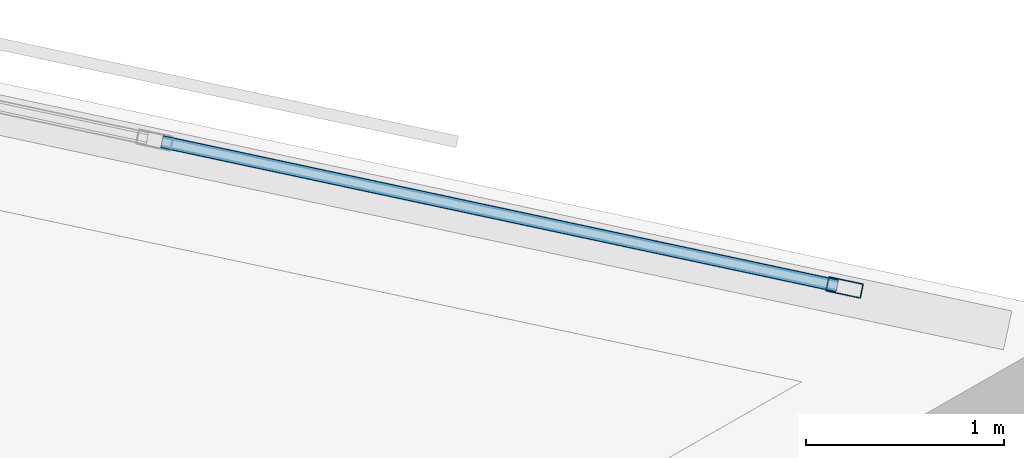
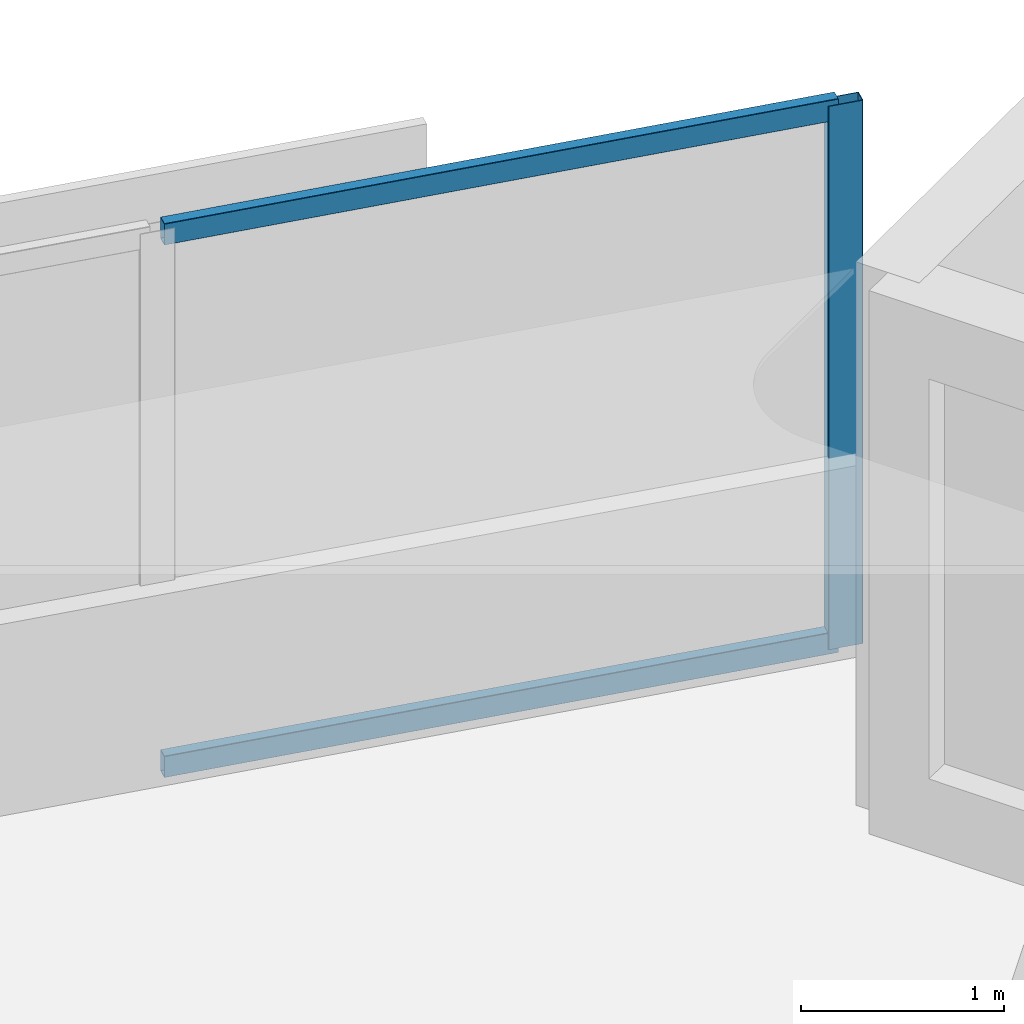
# One storey, part 6 of 13: 3 members, 1 element without a shape of its own.
"""IFC4 building model written with IfcOpenShell, lengths in metres."""

from ifc_helpers import new_model, si_unit, direction, frame, origin, origin_2d, place, context, subcontext, project, spatial, hollow_rectangle, extrude, material, material_profile, profile_set, type_object, element, aggregate, save


model = new_model("IFC4")

# Units and contexts
model_context = context("Model", 3, precision=1e-05, world=origin(), true_north=direction((0.0, 1.0)))
body_context = subcontext(model_context, "Body", "Model", "MODEL_VIEW")
ifc_project = project(units=[si_unit("LENGTHUNIT", "METRE"), si_unit("AREAUNIT", "SQUARE_METRE"), si_unit("VOLUMEUNIT", "CUBIC_METRE"), si_unit("PLANEANGLEUNIT", "RADIAN"), si_unit("MASSUNIT", "GRAM", prefix="KILO")], contexts=[model_context])

# Site, building, storey
site_placement = place(None, origin())
site = spatial("IfcSite", under=ifc_project, at=site_placement, CompositionType="ELEMENT")
building_placement = place(site_placement, origin())
building = spatial("IfcBuilding", under=site, at=building_placement, Name="Narakoshi Arena Tower", CompositionType="ELEMENT")
storey_placement = place(building_placement, frame((0.0, 0.0, 225.5400390625)))
storey = spatial("IfcBuildingStorey", under=building, at=storey_placement, Name="L61", CompositionType="ELEMENT", Elevation=225.5400390625)

# Curtain wall, members
ifc_material = material(Name="Anodised bronze aluminium 6063-T6", Category="aluminium")
curtain_wall_type = type_object("IfcCurtainWallType", Name="CW-HYP-MID", PredefinedType="NOTDEFINED", material=ifc_material)
curtain_wall_placement = place(storey_placement, origin())
curtain_wall = element("IfcCurtainWall", 1, at=curtain_wall_placement, inside=storey, type_object=curtain_wall_type, Name="L61 Folded Hypotenuse Curtain Wall 1-1", PredefinedType="NOTDEFINED")
ifc_material_profile_1 = material_profile(ifc_material, hollow_rectangle(XDim=0.074951171875, YDim=0.179931640625, WallThickness=0.00390625, OuterFilletRadius=0.0048828125, at=origin_2d()), Name="MUL180x75x4")
ifc_profile_set_1 = profile_set([ifc_material_profile_1], Name="Anodised bronze aluminium 6063-T6")
member_type_1 = type_object("IfcMemberType", Name="MEM-MUL-180", PredefinedType="MULLION", material=ifc_profile_set_1)
member_1_placement = place(storey_placement, frame((115.57373046875, 56.938232421875, 0.0), z_axis=(0.0, 0.0, 1.0), x_axis=(-0.208899163248, -0.977937185914, 0.0)))
member_1 = element("IfcMember", 2, at=member_1_placement, type_object=member_type_1, Name="CW-02 mullion 1", PredefinedType="MULLION", context=body_context, shape_type="SweptSolid", body=[
    extrude(hollow_rectangle(XDim=0.074951171875, YDim=0.179931640625, WallThickness=0.00390625, OuterFilletRadius=0.0048828125, at=origin_2d()), origin(), (0.0, 0.0, 1.0), 3.260009765625),
])
ifc_material_profile_2 = material_profile(ifc_material, hollow_rectangle(XDim=0.06494140625, YDim=0.1298828125, WallThickness=0.00390625, OuterFilletRadius=0.0048828125, at=origin_2d()), Name="TRN130x65x4")
ifc_profile_set_2 = profile_set([ifc_material_profile_2], Name="Anodised bronze aluminium 6063-T6")
member_type_2 = type_object("IfcMemberType", Name="MEM-TRN-130", PredefinedType="USERDEFINED", material=ifc_profile_set_2)
member_2_placement = place(storey_placement, frame((115.537109375, 56.946044921875, 0.032470703125), z_axis=(-0.977942813259, 0.20887281775, 0.0), x_axis=(-0.20887281775, -0.977942813259, 0.0)))
member_2 = element("IfcMember", 3, at=member_2_placement, type_object=member_type_2, Name="CW-02 transom 1.1", ObjectType="TRANSOM", PredefinedType="USERDEFINED", context=body_context, shape_type="SweptSolid", body=[
    extrude(hollow_rectangle(XDim=0.06494140625, YDim=0.1298828125, WallThickness=0.00390625, OuterFilletRadius=0.0048828125, at=origin_2d()), origin(), (0.0, 0.0, 1.0), 3.480712890625),
])
member_3_placement = place(storey_placement, frame((115.537109375, 56.946044921875, 3.2275390625), z_axis=(-0.977942813259, 0.20887281775, 0.0), x_axis=(-0.20887281775, -0.977942813259, 0.0)))
member_3 = element("IfcMember", 4, at=member_3_placement, type_object=member_type_2, Name="CW-02 transom 1.2", ObjectType="TRANSOM", PredefinedType="USERDEFINED", context=body_context, shape_type="SweptSolid", body=[
    extrude(hollow_rectangle(XDim=0.06494140625, YDim=0.1298828125, WallThickness=0.00390625, OuterFilletRadius=0.0048828125, at=origin_2d()), origin(), (0.0, 0.0, 1.0), 3.480712890625),
])
aggregate(curtain_wall, [member_1, member_2, member_3])

save(model, "model.ifc")
